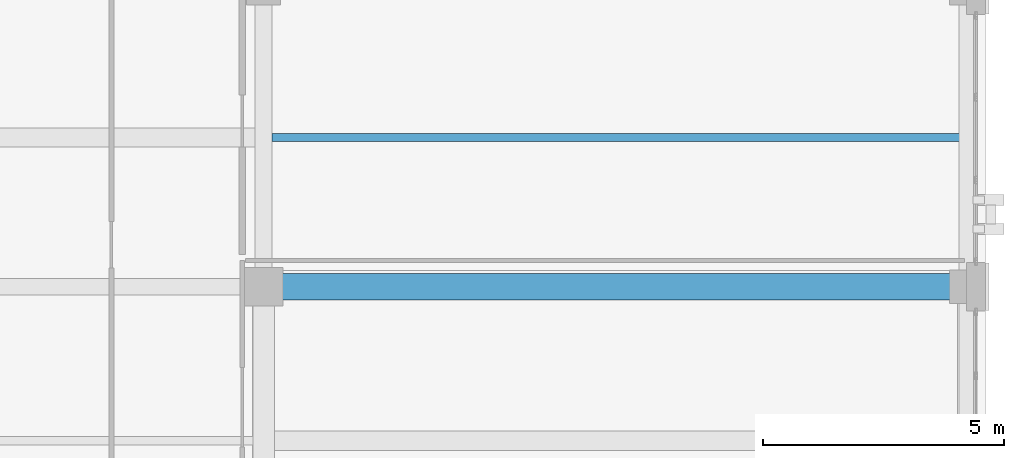
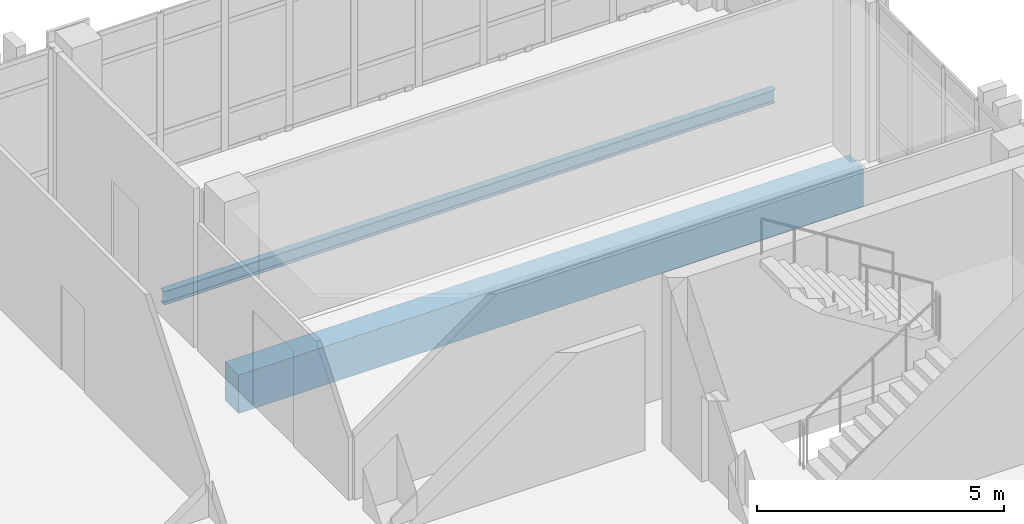
# One storey, part 105 of 158: 2 beams.
"""IFC4 building model written with IfcOpenShell, lengths in metres."""

import ifcopenshell
import ifcopenshell.guid

model = None  # the IFC model being written
_history = None  # IfcOwnerHistory: only IFC2X3 demands one
_inside = {}  # id of a spatial element -> (the spatial element, [elements in it])
_under = {}  # id of a project, library or spatial element -> (it, [spatial elements below it])
_declared = {}  # id of a project -> (the project, [libraries it declares])
_typed = {}  # id of a type object -> (the type object, [elements of that type])
_made_of = {}  # id of a material, layer set ... -> (it, [elements and type objects made of it])


def new_model(schema):
    """Start an empty IFC model of exactly this schema.

    Asked for "IFC4X3", IfcOpenShell would pick the latest addendum, in which some entities
    have other attributes; the version numbers below select the first issue.
    IFC2X3 requires an IfcOwnerHistory on every rooted entity: one is made here for all.
    """
    global model, _history
    if schema == "IFC4X3":
        model = ifcopenshell.file(schema_version=(4, 3, 0, 0))
    else:
        model = ifcopenshell.file(schema=schema)
    _inside.clear()
    _under.clear()
    _declared.clear()
    _typed.clear()
    _made_of.clear()
    _history = None
    if model.schema == "IFC2X3":
        org = make("IfcOrganization", Name="unknown")
        user = make(
            "IfcPersonAndOrganization",
            ThePerson=make("IfcPerson", FamilyName="unknown"),
            TheOrganization=org,
        )
        app = make(
            "IfcApplication",
            ApplicationDeveloper=org,
            Version="unknown",
            ApplicationFullName="unknown",
            ApplicationIdentifier="unknown",
        )
        _history = make(
            "IfcOwnerHistory",
            OwningUser=user,
            OwningApplication=app,
            ChangeAction="ADDED",
            CreationDate=0,
        )
    return model


def make(cls, **values):
    """One entity of the class cls with the attributes given. An attribute that is None is left unset."""
    return model.create_entity(
        cls, **{name: value for name, value in values.items() if value is not None}
    )


def rooted(cls, **values):
    """An entity with a GlobalId (a new one), such as an element, a storey or a relation."""
    return make(cls, GlobalId=ifcopenshell.guid.new(), OwnerHistory=_history, **values)


def si_unit(unit_type, name, prefix=None):
    """IfcSIUnit, for example si_unit("LENGTHUNIT", "METRE", prefix="MILLI")."""
    return make("IfcSIUnit", UnitType=unit_type, Prefix=prefix, Name=name)


def assignment(units):
    """IfcUnitAssignment: the units of a project."""
    return None if units is None else make("IfcUnitAssignment", Units=units)


def point(xyz):
    """IfcCartesianPoint."""
    return None if xyz is None else make("IfcCartesianPoint", Coordinates=xyz)


def direction(xyz):
    """IfcDirection."""
    return None if xyz is None else make("IfcDirection", DirectionRatios=xyz)


def frame(location, z_axis=None, x_axis=None):
    """IfcAxis2Placement3D, a coordinate frame: its origin and axes. An axis left out is left unset."""
    return make(
        "IfcAxis2Placement3D",
        Location=point(location),
        Axis=direction(z_axis),
        RefDirection=direction(x_axis),
    )


def frame_2d(location, x_axis=None):
    """IfcAxis2Placement2D, a coordinate frame in the plane: its origin and x axis."""
    return make(
        "IfcAxis2Placement2D", Location=point(location), RefDirection=direction(x_axis)
    )


def origin():
    """The frame at (0, 0, 0) with its axes left unset."""
    return frame((0.0, 0.0, 0.0))


def origin_2d():
    """The frame at (0, 0) in the plane with its x axis left unset."""
    return frame_2d((0.0, 0.0))


def place(relative_to, where):
    """IfcLocalPlacement: puts the frame where relative to a parent placement (None: the world)."""
    return make(
        "IfcLocalPlacement", PlacementRelTo=relative_to, RelativePlacement=where
    )


def context(
    kind, dimensions, precision=None, world=None, true_north=None, identifier=None
):
    """IfcGeometricRepresentationContext, for example the 3D "Model" context."""
    return make(
        "IfcGeometricRepresentationContext",
        ContextIdentifier=identifier,
        ContextType=kind,
        CoordinateSpaceDimension=dimensions,
        Precision=precision,
        WorldCoordinateSystem=world,
        TrueNorth=true_north,
    )


def subcontext(parent, identifier, kind, view, scale=None):
    """IfcGeometricRepresentationSubContext, for example "Body" below "Model"."""
    return make(
        "IfcGeometricRepresentationSubContext",
        ContextIdentifier=identifier,
        ContextType=kind,
        ParentContext=parent,
        TargetScale=scale,
        TargetView=view,
    )


def project(units=None, contexts=None):
    """IfcProject with its units and contexts."""
    return rooted(
        "IfcProject",
        Name="project",
        RepresentationContexts=contexts,
        UnitsInContext=assignment(units),
    )


def spatial(cls, under=None, at=None, **own):
    """A site, building, storey or space (cls), placed at a placement, below another one or the project."""
    s = rooted(cls, ObjectPlacement=at, **own)
    if under is not None:
        _under.setdefault(under.id(), (under, []))[1].append(s)
    return s


def profile(cls, at=None, kind="AREA", **sizes):
    """A parametric profile (cls). Its sizes go by their IFC names, for example OverallWidth=200.0."""
    return make(cls, ProfileType=kind, Position=at, **sizes)


def rectangle(**sizes):
    """IfcRectangleProfileDef."""
    return profile("IfcRectangleProfileDef", **sizes)


def i_section(**sizes):
    """IfcIShapeProfileDef."""
    return profile("IfcIShapeProfileDef", **sizes)


def extrude(swept, where, along, depth):
    """IfcExtrudedAreaSolid: the profile swept, set in the frame where, extruded along a direction by depth."""
    return make(
        "IfcExtrudedAreaSolid",
        SweptArea=swept,
        Position=where,
        ExtrudedDirection=direction(along),
        Depth=depth,
    )


def shape(context_of_items, identifier, shape_type, items):
    """IfcShapeRepresentation: the items that make up one representation, for example the "Body"."""
    return make(
        "IfcShapeRepresentation",
        ContextOfItems=context_of_items,
        RepresentationIdentifier=identifier,
        RepresentationType=shape_type,
        Items=items,
    )


def material(Name=None, Category=None):
    """IfcMaterial."""
    return make("IfcMaterial", Name=Name, Category=Category)


def material_profile(
    of_material, cross_section, Name=None, Category=None, Priority=None
):
    """IfcMaterialProfile: a cross section and its material."""
    return make(
        "IfcMaterialProfile",
        Name=Name,
        Material=of_material,
        Profile=cross_section,
        Priority=Priority,
        Category=Category,
    )


def profile_set(profiles, Name=None, composite=None):
    """IfcMaterialProfileSet."""
    return make(
        "IfcMaterialProfileSet",
        Name=Name,
        MaterialProfiles=profiles,
        CompositeProfile=composite,
    )


def made_of(thing, what):
    """Note that an element or type object is made of a material, layer set ...; save() writes the relation."""
    if what is not None:
        _made_of.setdefault(what.id(), (what, []))[1].append(thing)
    return thing


def type_object(cls, material=None, **own):
    """A type object (cls), such as IfcWallType, which elements share."""
    return made_of(rooted(cls, **own), material)


def element(
    cls,
    number,
    at=None,
    inside=None,
    cuts=None,
    type_object=None,
    material=None,
    context=None,
    identifier="Body",
    shape_type=None,
    held_by="IfcProductDefinitionShape",
    body=None,
    shapes=None,
    **own,
):
    """One element of the class cls, such as IfcWall. Its Tag is "e" and its number.

    at: its placement. inside: the storey or other place that contains it. cuts: it is an
    opening in that element (IfcRelVoidsElement). A single representation is given by context,
    identifier, shape_type and body (its items); several are given by shapes. held_by: the class
    of the entity that holds the representations. save() writes the other relations.
    """
    e = rooted(cls, Tag="e%d" % number, ObjectPlacement=at, **own)
    if body is not None:
        shapes = [shape(context, identifier, shape_type, body)]
    if shapes is not None:
        e.Representation = make(held_by, Representations=shapes)
    if inside is not None:
        _inside.setdefault(inside.id(), (inside, []))[1].append(e)
    if cuts is not None:
        rooted(
            "IfcRelVoidsElement", RelatingBuildingElement=cuts, RelatedOpeningElement=e
        )
    if type_object is not None:
        _typed.setdefault(type_object.id(), (type_object, []))[1].append(e)
    return made_of(e, material)


def aggregate(whole, parts):
    """IfcRelAggregates: a whole, such as a stair, and the parts it consists of."""
    return rooted("IfcRelAggregates", RelatingObject=whole, RelatedObjects=parts)


def save(model, path):
    """Write the relations noted so far, then the file.

    IfcRelAggregates (storeys below a building ...), IfcRelContainedInSpatialStructure (elements
    in a storey), IfcRelDefinesByType, IfcRelAssociatesMaterial and IfcRelDeclares: one each for
    every whole, place, type object, material and project.
    """
    for whole, parts in _under.values():
        aggregate(whole, parts)
    for where, things in _inside.values():
        rooted(
            "IfcRelContainedInSpatialStructure",
            RelatedElements=things,
            RelatingStructure=where,
        )
    for kind, things in _typed.values():
        rooted("IfcRelDefinesByType", RelatedObjects=things, RelatingType=kind)
    for what, things in _made_of.values():
        rooted("IfcRelAssociatesMaterial", RelatedObjects=things, RelatingMaterial=what)
    for by, libraries in _declared.values():
        rooted("IfcRelDeclares", RelatingContext=by, RelatedDefinitions=libraries)
    model.write(path)


model = new_model("IFC4")

# Units and contexts
model_context = context("Model", 3, precision=1e-05, world=origin(), true_north=direction((0.0, 1.0)))
body_context = subcontext(model_context, "Body", "Model", "MODEL_VIEW")
ifc_project = project(units=[si_unit("LENGTHUNIT", "METRE"), si_unit("AREAUNIT", "SQUARE_METRE"), si_unit("VOLUMEUNIT", "CUBIC_METRE"), si_unit("PLANEANGLEUNIT", "RADIAN"), si_unit("MASSUNIT", "GRAM", prefix="KILO")], contexts=[model_context])

# Site, building, storey
site_placement = place(None, origin())
site = spatial("IfcSite", under=ifc_project, at=site_placement, CompositionType="ELEMENT")
building_placement = place(site_placement, origin())
building = spatial("IfcBuilding", under=site, at=building_placement, Name="Qalavern Law Courts", CompositionType="ELEMENT")
storey_placement = place(building_placement, frame((0.0, 0.0, 18.60009765625)))
storey = spatial("IfcBuildingStorey", under=building, at=storey_placement, Name="L04", CompositionType="ELEMENT", Elevation=18.60009765625)

# Beams
ifc_material_1 = material(Name="Concrete C40/50", Category="concrete")
ifc_material_profile_1 = material_profile(ifc_material_1, rectangle(XDim=0.550048828125, YDim=0.949951171875, at=origin_2d()), Name="RC 550x950")
ifc_profile_set_1 = profile_set([ifc_material_profile_1], Name="Concrete C40/50")
beam_type_1 = type_object("IfcBeamType", Name="STR-BM-RC550x950", PredefinedType="BEAM", material=ifc_profile_set_1)
beam_1_placement = place(storey_placement, frame((91.800048828125, 79.199951171875, -0.755126953125), z_axis=(1.0, 0.0, 0.0), x_axis=(0.0, 1.0, 0.0)))
element("IfcBeam", 1, at=beam_1_placement, inside=storey, type_object=beam_type_1, Name="V4 X-beam 6-2 L04", PredefinedType="BEAM", context=body_context, shape_type="SweptSolid", body=[
    extrude(rectangle(XDim=0.550048828125, YDim=0.949951171875, at=origin_2d()), origin(), (0.0, 0.0, 1.0), 14.599853515625),
])
ifc_material_2 = material(Name="Steel S355", Category="steel")
ifc_material_profile_2 = material_profile(ifc_material_2, i_section(OverallWidth=0.159912109375, OverallDepth=0.330078125, WebThickness=0.007568359375, FlangeThickness=0.011474609375, FilletRadius=0.01806640625, at=origin_2d()), Name="IPE 330")
ifc_profile_set_2 = profile_set([ifc_material_profile_2], Name="Steel S355")
beam_type_2 = type_object("IfcBeamType", Name="STR-JST-IPE330", PredefinedType="JOIST", material=ifc_profile_set_2)
beam_2_placement = place(storey_placement, frame((91.972900390625, 82.300048828125, -0.445068359375), z_axis=(1.0, 0.0, 0.0), x_axis=(0.0, 1.0, 0.0)))
element("IfcBeam", 2, at=beam_2_placement, inside=storey, type_object=beam_type_2, Name="V4 secondary joist 2.6.1 L04", PredefinedType="JOIST", context=body_context, shape_type="SweptSolid", body=[
    extrude(i_section(OverallWidth=0.159912109375, OverallDepth=0.330078125, WebThickness=0.007568359375, FlangeThickness=0.011474609375, FilletRadius=0.01806640625, at=origin_2d()), origin(), (0.0, 0.0, 1.0), 14.279052734375),
])

save(model, "model.ifc")
